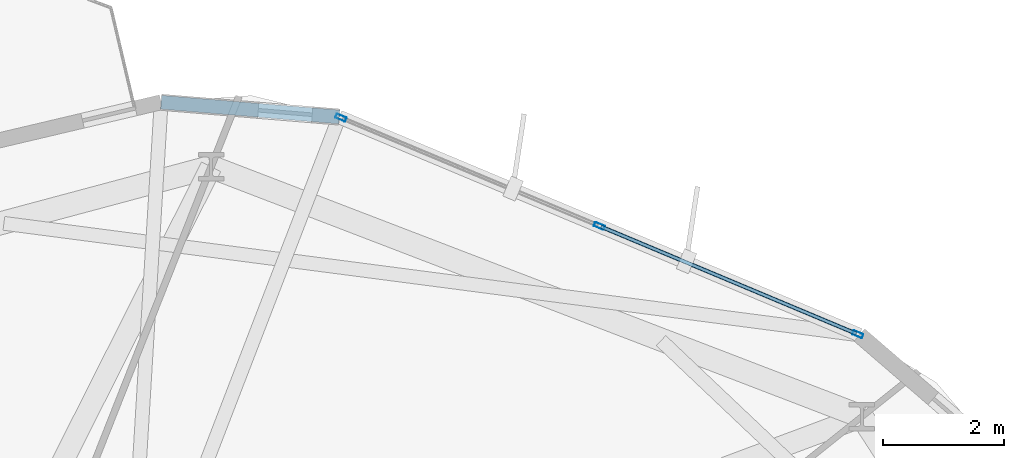
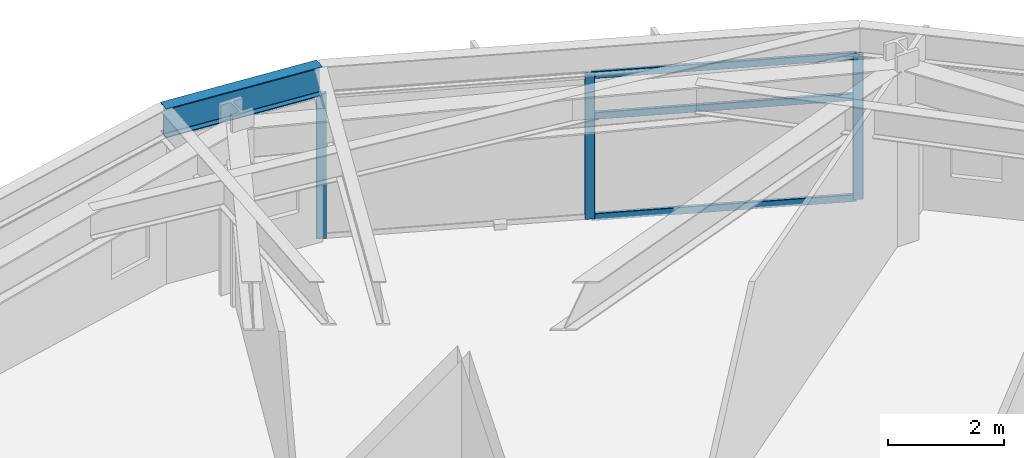
# One storey, part 13 of 21: 6 members, 1 beam, 1 element without a shape of its own.
"""IFC4 building model written with IfcOpenShell, lengths in metres."""

from ifc_helpers import new_model, si_unit, direction, frame, origin, origin_2d, place, context, subcontext, project, spatial, hollow_rectangle, i_section, extrude, material, layer, layer_set, material_profile, profile_set, type_object, element, aggregate, save


model = new_model("IFC4")

# Units and contexts
model_context = context("Model", 3, precision=1e-05, world=origin(), true_north=direction((0.0, 1.0)))
body_context = subcontext(model_context, "Body", "Model", "MODEL_VIEW")
ifc_project = project(units=[si_unit("LENGTHUNIT", "METRE"), si_unit("AREAUNIT", "SQUARE_METRE"), si_unit("VOLUMEUNIT", "CUBIC_METRE"), si_unit("PLANEANGLEUNIT", "RADIAN"), si_unit("MASSUNIT", "GRAM", prefix="KILO")], contexts=[model_context])

# Site, building, storey
site_placement = place(None, origin())
site = spatial("IfcSite", under=ifc_project, at=site_placement, CompositionType="ELEMENT")
building_placement = place(site_placement, origin())
building = spatial("IfcBuilding", under=site, at=building_placement, Name="Soratama Intermodal Tower", CompositionType="ELEMENT")
storey_placement = place(building_placement, frame((0.0, 0.0, 78.60009765625)))
storey = spatial("IfcBuildingStorey", under=building, at=storey_placement, Name="L18", CompositionType="ELEMENT", Elevation=78.60009765625)

# Beam
ifc_material_1 = material(Name="Structural steel ASTM A992 Grade 50", Category="steel")
ifc_material_profile_1 = material_profile(ifc_material_1, i_section(OverallWidth=0.22900390625, OverallDepth=0.612060546875, WebThickness=0.011962890625, FlangeThickness=0.01953125, FilletRadius=0.012939453125, at=origin_2d()), Name="W24X84")
ifc_profile_set_1 = profile_set([ifc_material_profile_1], Name="Structural steel ASTM A992 Grade 50")
beam_type = type_object("IfcBeamType", Name="BM-SPN-W24X84", PredefinedType="SPANDREL", material=ifc_profile_set_1)
beam_placement = place(storey_placement, frame((48.10693359375, 44.52197265625, 3.35400390625), z_axis=(-0.996579732731, 0.082636773345, 0.0), x_axis=(-0.082636773345, -0.996579732731, 0.0)))
element("IfcBeam", 1, at=beam_placement, inside=storey, type_object=beam_type, Name="BS-L18-CRN02", PredefinedType="SPANDREL", context=body_context, shape_type="SweptSolid", body=[
    extrude(i_section(OverallWidth=0.22900390625, OverallDepth=0.612060546875, WebThickness=0.011962890625, FlangeThickness=0.01953125, FilletRadius=0.012939453125, at=origin_2d()), origin(), (0.0, 0.0, 1.0), 2.96630859375),
])

# Curtain wall, members
ifc_material_2 = material(Name="Double-glazed aluminium curtain wall", Category="aluminium")
ifc_layer = layer(ifc_material_2, 0.159912109375)
ifc_layer_set = layer_set([ifc_layer], Name="Double-glazed aluminium curtain wall")
curtain_wall_type = type_object("IfcCurtainWallType", Name="CW-SYS-2", PredefinedType="NOTDEFINED", material=ifc_layer_set)
curtain_wall_placement = place(storey_placement, origin())
curtain_wall = element("IfcCurtainWall", 2, at=curtain_wall_placement, inside=storey, type_object=curtain_wall_type, Name="L18 Faceted Curtain Wall F02", PredefinedType="NOTDEFINED")
ifc_material_3 = material(Name="Anodised aluminium AA 6063-T6", Category="aluminium")
ifc_material_profile_2 = material_profile(ifc_material_3, hollow_rectangle(XDim=0.074951171875, YDim=0.179931640625, WallThickness=0.006103515625, InnerFilletRadius=0.006103515625, OuterFilletRadius=0.011962890625, at=origin_2d()), Name="CWM180X75X6")
ifc_profile_set_2 = profile_set([ifc_material_profile_2], Name="Anodised aluminium AA 6063-T6")
member_type_1 = type_object("IfcMemberType", Name="MT-CWM-2", PredefinedType="MULLION", material=ifc_profile_set_2)
member_1_placement = place(storey_placement, frame((56.713134765625, 40.915283203125, 0.0), z_axis=(0.0, 0.0, 1.0), x_axis=(-0.386551719837, -0.922267731134, 0.0)))
member_1 = element("IfcMember", 3, at=member_1_placement, type_object=member_type_1, Name="CW-2 mullion 1", PredefinedType="MULLION", context=body_context, shape_type="SweptSolid", body=[
    extrude(hollow_rectangle(XDim=0.074951171875, YDim=0.179931640625, WallThickness=0.006103515625, InnerFilletRadius=0.006103515625, OuterFilletRadius=0.011962890625, at=origin_2d()), origin(), (0.0, 0.0, 1.0), 3.038818359375),
])
member_2_placement = place(storey_placement, frame((52.424072265625, 42.712890625, 0.0), z_axis=(0.0, 0.0, 1.0), x_axis=(-0.386551719837, -0.922267731134, 0.0)))
member_2 = element("IfcMember", 4, at=member_2_placement, type_object=member_type_1, Name="CW-2 mullion 2", PredefinedType="MULLION", context=body_context, shape_type="SweptSolid", body=[
    extrude(hollow_rectangle(XDim=0.074951171875, YDim=0.179931640625, WallThickness=0.006103515625, InnerFilletRadius=0.006103515625, OuterFilletRadius=0.011962890625, at=origin_2d()), origin(), (0.0, 0.0, 1.0), 3.038818359375),
])
member_3_placement = place(storey_placement, frame((48.134765625, 44.5107421875, 0.0), z_axis=(0.0, 0.0, 1.0), x_axis=(-0.386551719837, -0.922267731134, 0.0)))
member_3 = element("IfcMember", 5, at=member_3_placement, type_object=member_type_1, Name="CW-2 mullion 3", PredefinedType="MULLION", context=body_context, shape_type="SweptSolid", body=[
    extrude(hollow_rectangle(XDim=0.074951171875, YDim=0.179931640625, WallThickness=0.006103515625, InnerFilletRadius=0.006103515625, OuterFilletRadius=0.011962890625, at=origin_2d()), origin(), (0.0, 0.0, 1.0), 3.038818359375),
])
ifc_material_4 = material(Name="Anodised aluminium AA 6063-T6", Category="aluminium")
ifc_material_profile_3 = material_profile(ifc_material_4, hollow_rectangle(XDim=0.06494140625, YDim=0.14990234375, WallThickness=0.0048828125, InnerFilletRadius=0.0048828125, OuterFilletRadius=0.010009765625, at=origin_2d()), Name="CWT150X65X5")
ifc_profile_set_3 = profile_set([ifc_material_profile_3], Name="Anodised aluminium AA 6063-T6")
member_type_2 = type_object("IfcMemberType", Name="TT-CWT-1", PredefinedType="USERDEFINED", material=ifc_profile_set_3)
member_4_placement = place(storey_placement, frame((56.685546875, 40.9267578125, 0.02978515625), z_axis=(-0.922259832655, 0.386570564155, 0.0), x_axis=(-0.386570564155, -0.922259832655, 0.0)))
member_4 = element("IfcMember", 6, at=member_4_placement, type_object=member_type_2, Name="CW-2 transom 1.1", ObjectType="TRANSOM", PredefinedType="USERDEFINED", context=body_context, shape_type="SweptSolid", body=[
    extrude(hollow_rectangle(XDim=0.06494140625, YDim=0.14990234375, WallThickness=0.0048828125, InnerFilletRadius=0.0048828125, OuterFilletRadius=0.010009765625, at=origin_2d()), origin(), (0.0, 0.0, 1.0), 4.5908203125),
])
member_5_placement = place(storey_placement, frame((56.685546875, 40.9267578125, 2.14990234375), z_axis=(-0.922259832655, 0.386570564155, 0.0), x_axis=(-0.386570564155, -0.922259832655, 0.0)))
member_5 = element("IfcMember", 7, at=member_5_placement, type_object=member_type_2, Name="CW-2 transom 1.2", ObjectType="TRANSOM", PredefinedType="USERDEFINED", context=body_context, shape_type="SweptSolid", body=[
    extrude(hollow_rectangle(XDim=0.06494140625, YDim=0.14990234375, WallThickness=0.0048828125, InnerFilletRadius=0.0048828125, OuterFilletRadius=0.010009765625, at=origin_2d()), origin(), (0.0, 0.0, 1.0), 4.5908203125),
])
member_6_placement = place(storey_placement, frame((56.685546875, 40.9267578125, 3.0087890625), z_axis=(-0.922259832655, 0.386570564155, 0.0), x_axis=(-0.386570564155, -0.922259832655, 0.0)))
member_6 = element("IfcMember", 8, at=member_6_placement, type_object=member_type_2, Name="CW-2 transom 1.3", ObjectType="TRANSOM", PredefinedType="USERDEFINED", context=body_context, shape_type="SweptSolid", body=[
    extrude(hollow_rectangle(XDim=0.06494140625, YDim=0.14990234375, WallThickness=0.0048828125, InnerFilletRadius=0.0048828125, OuterFilletRadius=0.010009765625, at=origin_2d()), origin(), (0.0, 0.0, 1.0), 4.5908203125),
])
aggregate(curtain_wall, [member_1, member_2, member_3, member_4, member_5, member_6])

save(model, "model.ifc")
